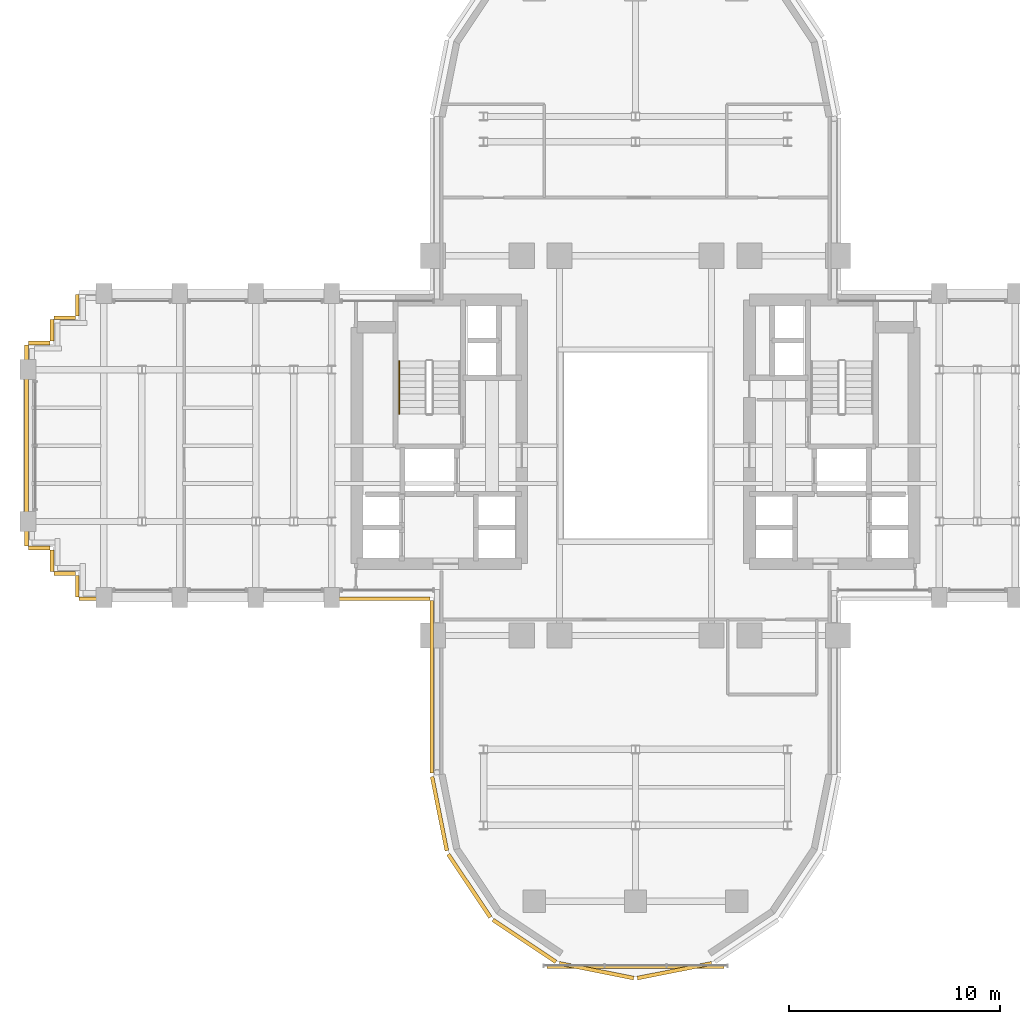
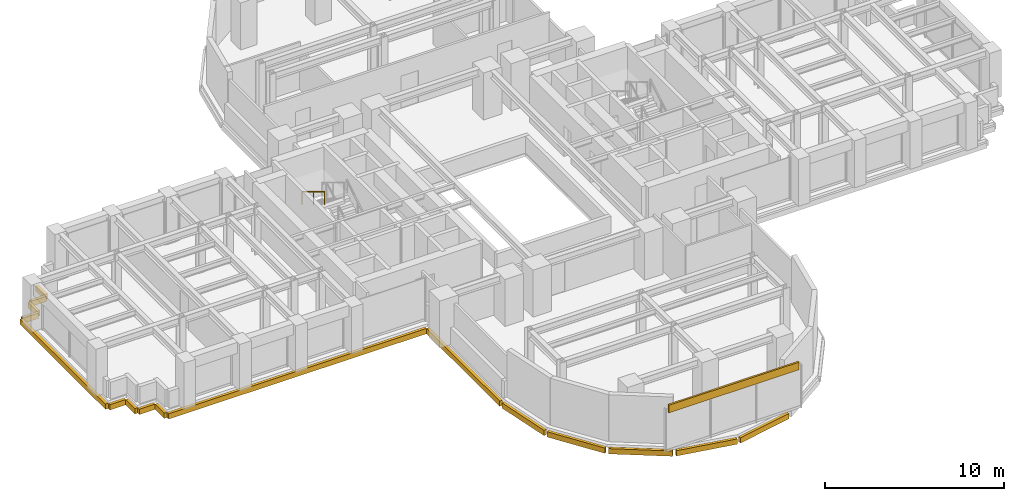
# One storey, part 13 of 16: 17 coverings, 1 railing.
"""IFC4 building model written with IfcOpenShell, lengths in metres."""

from ifc_helpers import new_model, si_unit, direction, frame, origin, origin_2d, place, context, subcontext, project, spatial, rectangle, extrude, source, transform, mapped, material, layer, layer_set, type_object, element, save


model = new_model("IFC4")

# Units and contexts
model_context = context("Model", 3, precision=1e-05, world=origin(), true_north=direction((0.0, 1.0)))
body_context = subcontext(model_context, "Body", "Model", "MODEL_VIEW")
ifc_project = project(units=[si_unit("LENGTHUNIT", "METRE"), si_unit("AREAUNIT", "SQUARE_METRE"), si_unit("VOLUMEUNIT", "CUBIC_METRE"), si_unit("PLANEANGLEUNIT", "RADIAN"), si_unit("MASSUNIT", "GRAM", prefix="KILO")], contexts=[model_context])

# Site, building, storey
site_placement = place(None, origin())
site = spatial("IfcSite", under=ifc_project, at=site_placement, CompositionType="ELEMENT")
building_placement = place(site_placement, origin())
building = spatial("IfcBuilding", under=site, at=building_placement, Name="Keilestroom Media Tower", CompositionType="ELEMENT")
storey_placement = place(building_placement, frame((0.0, 0.0, 68.0)))
storey = spatial("IfcBuildingStorey", under=building, at=storey_placement, Name="L17", CompositionType="ELEMENT", Elevation=68.0)

# Railing
ifc_material_1 = material(Name="Brushed Stainless Steel 1.4301", Category="steel")
railing_type = type_object("IfcRailingType", Name="Stair-Pitch-Handrail-920", PredefinedType="HANDRAIL", material=ifc_material_1)
railing_placement = place(storey_placement, frame((-11.2099609375, 3.99609375, 1.888916015625)))
element("IfcRailing", 1, at=railing_placement, inside=storey, type_object=railing_type, Name="L17 ST-1 stair handrail 2", PredefinedType="HANDRAIL", context=body_context, shape_type="SweptSolid", body=[
    extrude(rectangle(XDim=0.048095703125, YDim=0.048095703125, at=origin_2d()), frame((0.0, 0.0, 0.8759765625), z_axis=(0.0, -0.855470815493, 0.517851024754), x_axis=(1.0, 0.0, 0.0)), (0.0, 0.0, 1.0), 2.917724609375),
    extrude(rectangle(XDim=0.0419921875, YDim=0.0419921875, at=origin_2d()), origin(), (0.0, 0.0, 1.0), 0.84375),
    extrude(rectangle(XDim=0.0419921875, YDim=0.0419921875, at=origin_2d()), frame((0.0, -1.248046875, 0.75537109375)), (0.0, 0.0, 1.0), 0.84375),
    extrude(rectangle(XDim=0.0419921875, YDim=0.0419921875, at=origin_2d()), frame((0.0, -2.49609375, 1.510986328125)), (0.0, 0.0, 1.0), 0.84375),
])

# Coverings
ifc_material_2 = material(Name="Precast concrete C40/50", Category="concrete")
ifc_layer = layer(ifc_material_2, 0.1201171875)
ifc_layer_set = layer_set([ifc_layer], Name="Precast concrete C40/50")
covering_type = type_object("IfcCoveringType", Name="Exterior-Precast-Spandrel-Cladding-Panel-120", PredefinedType="CLADDING", material=ifc_layer_set)
shared_shape_1 = source(origin(), body_context, "Body", "SweptSolid", [
    extrude(rectangle(XDim=8.39990234375, YDim=0.1201171875, at=origin_2d()), origin(), (0.0, 0.0, 1.0), 0.52001953125),
])
covering_1_placement = place(storey_placement, frame((0.0, -24.719970703125, 2.68994140625), z_axis=(0.0, 0.0, 1.0), x_axis=(1.0, 0.0, 0.0)))
element("IfcCovering", 2, at=covering_1_placement, inside=storey, type_object=covering_type, Name="L17 Precast Spandrel Cladding S", PredefinedType="CLADDING", context=body_context, shape_type="MappedRepresentation", body=[
    mapped(shared_shape_1, transform((0.0, 0.0, 0.0), x_axis=(1.0, 0.0, 0.0), y_axis=(0.0, 1.0, 0.0), z_axis=(0.0, 0.0, 1.0), scale=1.0)),
])
shared_shape_2 = source(origin(), body_context, "Body", "SweptSolid", [
    extrude(rectangle(XDim=1.02001953125, YDim=0.179931640625, at=origin_2d()), origin(), (0.0, 0.0, 1.0), 0.360107421875),
])
for number, where, z_axis, x_axis, name in (
    (3, (-26.4599609375, -6.659912109375, -0.5400390625), (0.0, 0.0, 1.0), (0.0, 1.0, 0.0), "L17 Precast Slab-Edge Fascia Cornice 17"),
    (4, (-27.06005859375, -6.06005859375, -0.5400390625), (0.0, 0.0, 1.0), (-1.0, 0.0, 0.0), "L17 Precast Slab-Edge Fascia Cornice 18"),
    (5, (-27.659912109375, -5.4599609375, -0.5400390625), (0.0, 0.0, 1.0), (0.0, 1.0, 0.0), "L17 Precast Slab-Edge Fascia Cornice 19"),
    (6, (-28.260009765625, -4.860107421875, -0.5400390625), (0.0, 0.0, 1.0), (-1.0, 0.0, 0.0), "L17 Precast Slab-Edge Fascia Cornice 20"),
    (7, (-28.260009765625, 4.860107421875, -0.5400390625), (0.0, 0.0, 1.0), (1.0, 0.0, 0.0), "L17 Precast Slab-Edge Fascia Cornice 22"),
    (8, (-27.659912109375, 5.4599609375, -0.5400390625), (0.0, 0.0, 1.0), (0.0, 1.0, 0.0), "L17 Precast Slab-Edge Fascia Cornice 23"),
    (9, (-27.06005859375, 6.06005859375, -0.5400390625), (0.0, 0.0, 1.0), (1.0, 0.0, 0.0), "L17 Precast Slab-Edge Fascia Cornice 24"),
    (10, (-26.4599609375, 6.659912109375, -0.5400390625), (0.0, 0.0, 1.0), (0.0, 1.0, 0.0), "L17 Precast Slab-Edge Fascia Cornice 25"),
):
    element("IfcCovering", number, at=place(storey_placement, frame(where, z_axis=z_axis, x_axis=x_axis)), inside=storey, type_object=covering_type, Name=name, PredefinedType="CLADDING", context=body_context, shape_type="MappedRepresentation", body=[
        mapped(shared_shape_2, transform((0.0, 0.0, 0.0), x_axis=(1.0, 0.0, 0.0), y_axis=(0.0, 1.0, 0.0), z_axis=(0.0, 0.0, 1.0), scale=1.0)),
    ])
shared_shape_3 = source(origin(), body_context, "Body", "SweptSolid", [
    extrude(rectangle(XDim=16.6201171875, YDim=0.179931640625, at=origin_2d()), origin(), (0.0, 0.0, 1.0), 0.360107421875),
])
covering_2_placement = place(storey_placement, frame((-18.06005859375, -7.260009765625, -0.5400390625), z_axis=(0.0, 0.0, 1.0), x_axis=(-1.0, 0.0, 0.0)))
element("IfcCovering", 11, at=covering_2_placement, inside=storey, type_object=covering_type, Name="L17 Precast Slab-Edge Fascia Cornice 16", PredefinedType="CLADDING", context=body_context, shape_type="MappedRepresentation", body=[
    mapped(shared_shape_3, transform((0.0, 0.0, 0.0), x_axis=(1.0, 0.0, 0.0), y_axis=(0.0, 1.0, 0.0), z_axis=(0.0, 0.0, 1.0), scale=1.0)),
])
shared_shape_4 = source(origin(), body_context, "Body", "SweptSolid", [
    extrude(rectangle(XDim=8.166015625, YDim=0.179931640625, at=origin_2d()), origin(), (0.0, 0.0, 1.0), 0.360107421875),
])
covering_3_placement = place(storey_placement, frame((-9.659912109375, -11.43310546875, -0.5400390625), z_axis=(0.0, 0.0, 1.0), x_axis=(0.0, 1.0, 0.0)))
element("IfcCovering", 12, at=covering_3_placement, inside=storey, type_object=covering_type, Name="L17 Precast Slab-Edge Fascia Cornice 15", PredefinedType="CLADDING", context=body_context, shape_type="MappedRepresentation", body=[
    mapped(shared_shape_4, transform((0.0, 0.0, 0.0), x_axis=(1.0, 0.0, 0.0), y_axis=(0.0, 1.0, 0.0), z_axis=(0.0, 0.0, 1.0), scale=1.0)),
])
shared_shape_5 = source(origin(), body_context, "Body", "SweptSolid", [
    extrude(rectangle(XDim=3.58349609375, YDim=0.179931640625, at=origin_2d()), origin(), (0.0, 0.0, 1.0), 0.360107421875),
])
covering_4_placement = place(storey_placement, frame((-9.29296875, -17.45166015625, -0.5400390625), z_axis=(0.0, 0.0, 1.0), x_axis=(-0.195098880975, 0.980783577882, 0.0)))
element("IfcCovering", 13, at=covering_4_placement, inside=storey, type_object=covering_type, Name="L17 Precast Slab-Edge Fascia Cornice 14", PredefinedType="CLADDING", context=body_context, shape_type="MappedRepresentation", body=[
    mapped(shared_shape_5, transform((0.0, 0.0, 0.0), x_axis=(1.0, 0.0, 0.0), y_axis=(0.0, 1.0, 0.0), z_axis=(0.0, 0.0, 1.0), scale=1.0)),
])
shared_shape_6 = source(origin(), body_context, "Body", "SweptSolid", [
    extrude(rectangle(XDim=3.589599609375, YDim=0.179931640625, at=origin_2d()), origin(), (0.0, 0.0, 1.0), 0.360107421875),
])
for number, where, z_axis, x_axis, name in (
    (14, (1.8486328125, -24.893310546875, -0.5400390625), (0.0, 0.0, 1.0), (-0.980783577882, -0.195098880975, 0.0), "L17 Precast Slab-Edge Fascia Cornice 10"),
    (15, (-1.8486328125, -24.893310546875, -0.5400390625), (0.0, 0.0, 1.0), (-0.980783577882, 0.195098880975, 0.0), "L17 Precast Slab-Edge Fascia Cornice 11"),
    (16, (-5.264404296875, -23.478515625, -0.5400390625), (0.0, 0.0, 1.0), (-0.831466703332, 0.555574586577, 0.0), "L17 Precast Slab-Edge Fascia Cornice 12"),
    (17, (-7.878662109375, -20.8642578125, -0.5400390625), (0.0, 0.0, 1.0), (-0.555574586577, 0.831466703332, 0.0), "L17 Precast Slab-Edge Fascia Cornice 13"),
):
    element("IfcCovering", number, at=place(storey_placement, frame(where, z_axis=z_axis, x_axis=x_axis)), inside=storey, type_object=covering_type, Name=name, PredefinedType="CLADDING", context=body_context, shape_type="MappedRepresentation", body=[
        mapped(shared_shape_6, transform((0.0, 0.0, 0.0), x_axis=(1.0, 0.0, 0.0), y_axis=(0.0, 1.0, 0.0), z_axis=(0.0, 0.0, 1.0), scale=1.0)),
    ])
shared_shape_7 = source(origin(), body_context, "Body", "SweptSolid", [
    extrude(rectangle(XDim=9.5400390625, YDim=0.179931640625, at=origin_2d()), origin(), (0.0, 0.0, 1.0), 0.360107421875),
])
covering_5_placement = place(storey_placement, frame((-28.860107421875, 0.0, -0.5400390625), z_axis=(0.0, 0.0, 1.0), x_axis=(0.0, 1.0, 0.0)))
element("IfcCovering", 18, at=covering_5_placement, inside=storey, type_object=covering_type, Name="L17 Precast Slab-Edge Fascia Cornice 21", PredefinedType="CLADDING", context=body_context, shape_type="MappedRepresentation", body=[
    mapped(shared_shape_7, transform((0.0, 0.0, 0.0), x_axis=(1.0, 0.0, 0.0), y_axis=(0.0, 1.0, 0.0), z_axis=(0.0, 0.0, 1.0), scale=1.0)),
])

save(model, "model.ifc")
